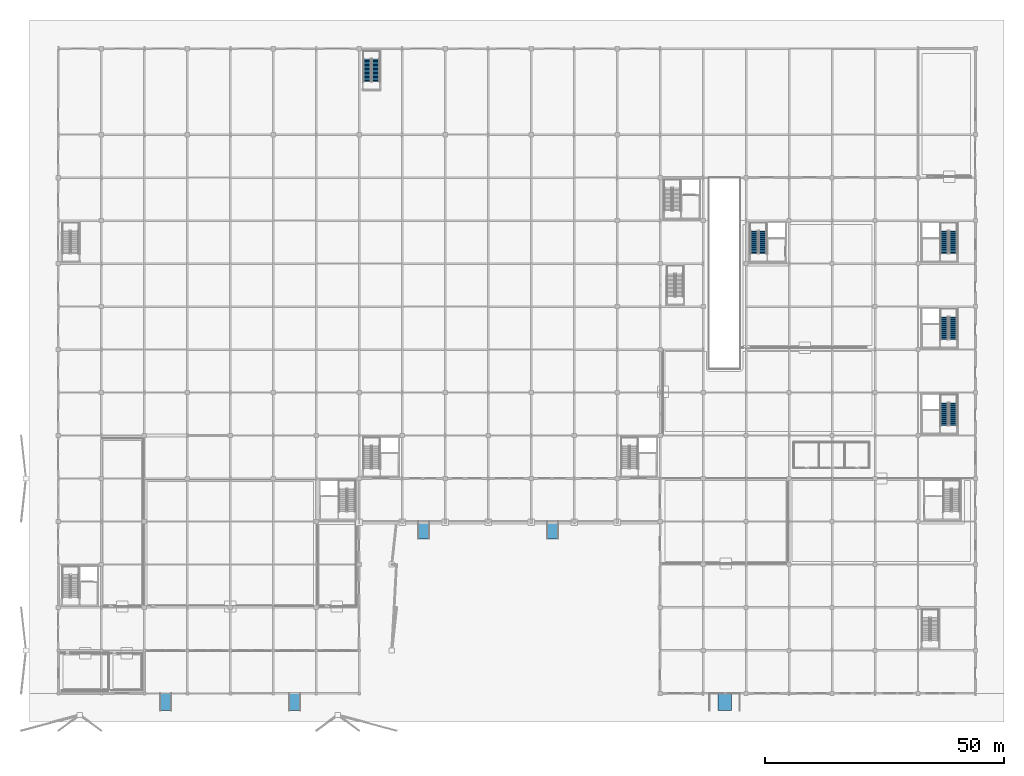
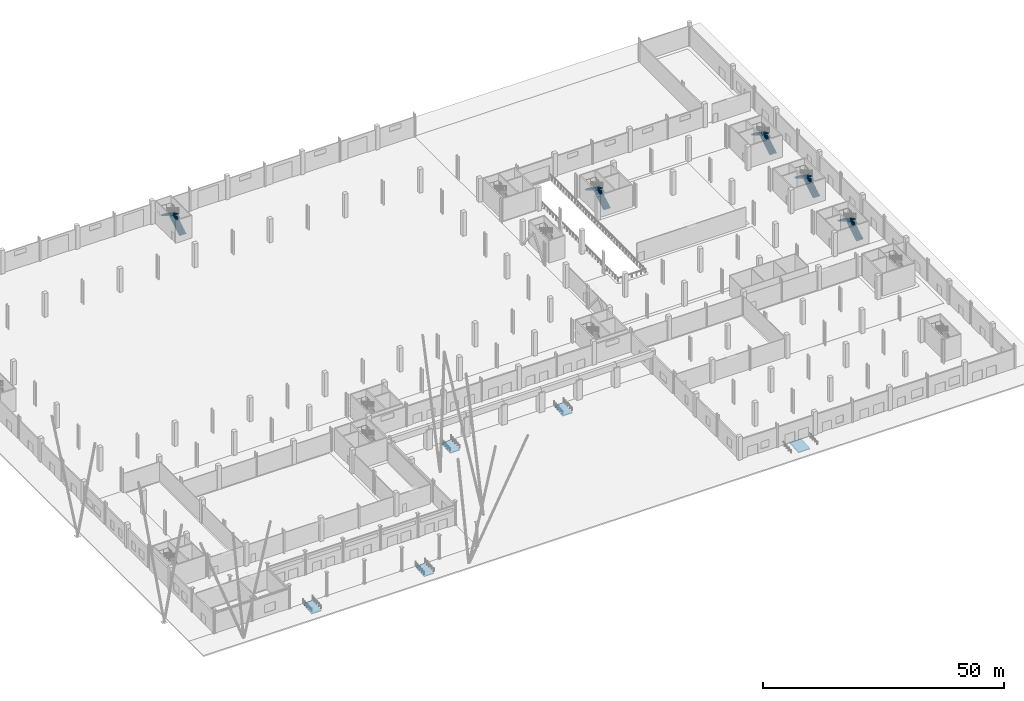
# One storey, part 41 of 58: 10 stair flights, 5 ramp flights, 10 elements without a shape of their own.
"""IFC4 building model written with IfcOpenShell, lengths in metres."""

import ifcopenshell
import ifcopenshell.guid

model = None  # the IFC model being written
_history = None  # IfcOwnerHistory: only IFC2X3 demands one
_inside = {}  # id of a spatial element -> (the spatial element, [elements in it])
_under = {}  # id of a project, library or spatial element -> (it, [spatial elements below it])
_declared = {}  # id of a project -> (the project, [libraries it declares])
_typed = {}  # id of a type object -> (the type object, [elements of that type])
_made_of = {}  # id of a material, layer set ... -> (it, [elements and type objects made of it])


def new_model(schema):
    """Start an empty IFC model of exactly this schema.

    Asked for "IFC4X3", IfcOpenShell would pick the latest addendum, in which some entities
    have other attributes; the version numbers below select the first issue.
    IFC2X3 requires an IfcOwnerHistory on every rooted entity: one is made here for all.
    """
    global model, _history
    if schema == "IFC4X3":
        model = ifcopenshell.file(schema_version=(4, 3, 0, 0))
    else:
        model = ifcopenshell.file(schema=schema)
    _inside.clear()
    _under.clear()
    _declared.clear()
    _typed.clear()
    _made_of.clear()
    _history = None
    if model.schema == "IFC2X3":
        org = make("IfcOrganization", Name="unknown")
        user = make(
            "IfcPersonAndOrganization",
            ThePerson=make("IfcPerson", FamilyName="unknown"),
            TheOrganization=org,
        )
        app = make(
            "IfcApplication",
            ApplicationDeveloper=org,
            Version="unknown",
            ApplicationFullName="unknown",
            ApplicationIdentifier="unknown",
        )
        _history = make(
            "IfcOwnerHistory",
            OwningUser=user,
            OwningApplication=app,
            ChangeAction="ADDED",
            CreationDate=0,
        )
    return model


def make(cls, **values):
    """One entity of the class cls with the attributes given. An attribute that is None is left unset."""
    return model.create_entity(
        cls, **{name: value for name, value in values.items() if value is not None}
    )


def rooted(cls, **values):
    """An entity with a GlobalId (a new one), such as an element, a storey or a relation."""
    return make(cls, GlobalId=ifcopenshell.guid.new(), OwnerHistory=_history, **values)


def si_unit(unit_type, name, prefix=None):
    """IfcSIUnit, for example si_unit("LENGTHUNIT", "METRE", prefix="MILLI")."""
    return make("IfcSIUnit", UnitType=unit_type, Prefix=prefix, Name=name)


def assignment(units):
    """IfcUnitAssignment: the units of a project."""
    return None if units is None else make("IfcUnitAssignment", Units=units)


def point(xyz):
    """IfcCartesianPoint."""
    return None if xyz is None else make("IfcCartesianPoint", Coordinates=xyz)


def direction(xyz):
    """IfcDirection."""
    return None if xyz is None else make("IfcDirection", DirectionRatios=xyz)


def frame(location, z_axis=None, x_axis=None):
    """IfcAxis2Placement3D, a coordinate frame: its origin and axes. An axis left out is left unset."""
    return make(
        "IfcAxis2Placement3D",
        Location=point(location),
        Axis=direction(z_axis),
        RefDirection=direction(x_axis),
    )


def origin():
    """The frame at (0, 0, 0) with its axes left unset."""
    return frame((0.0, 0.0, 0.0))


def place(relative_to, where):
    """IfcLocalPlacement: puts the frame where relative to a parent placement (None: the world)."""
    return make(
        "IfcLocalPlacement", PlacementRelTo=relative_to, RelativePlacement=where
    )


def context(
    kind, dimensions, precision=None, world=None, true_north=None, identifier=None
):
    """IfcGeometricRepresentationContext, for example the 3D "Model" context."""
    return make(
        "IfcGeometricRepresentationContext",
        ContextIdentifier=identifier,
        ContextType=kind,
        CoordinateSpaceDimension=dimensions,
        Precision=precision,
        WorldCoordinateSystem=world,
        TrueNorth=true_north,
    )


def subcontext(parent, identifier, kind, view, scale=None):
    """IfcGeometricRepresentationSubContext, for example "Body" below "Model"."""
    return make(
        "IfcGeometricRepresentationSubContext",
        ContextIdentifier=identifier,
        ContextType=kind,
        ParentContext=parent,
        TargetScale=scale,
        TargetView=view,
    )


def project(units=None, contexts=None):
    """IfcProject with its units and contexts."""
    return rooted(
        "IfcProject",
        Name="project",
        RepresentationContexts=contexts,
        UnitsInContext=assignment(units),
    )


def spatial(cls, under=None, at=None, **own):
    """A site, building, storey or space (cls), placed at a placement, below another one or the project."""
    s = rooted(cls, ObjectPlacement=at, **own)
    if under is not None:
        _under.setdefault(under.id(), (under, []))[1].append(s)
    return s


def polyline(points):
    """IfcPolyline through the points."""
    return make("IfcPolyline", Points=[point(p) for p in points])


def outline(outer, holes=None, kind="AREA"):
    """IfcArbitraryClosedProfileDef: a profile drawn as a closed curve; with holes, ...WithVoids."""
    if holes is None:
        return make("IfcArbitraryClosedProfileDef", ProfileType=kind, OuterCurve=outer)
    return make(
        "IfcArbitraryProfileDefWithVoids",
        ProfileType=kind,
        OuterCurve=outer,
        InnerCurves=holes,
    )


def extrude(swept, where, along, depth):
    """IfcExtrudedAreaSolid: the profile swept, set in the frame where, extruded along a direction by depth."""
    return make(
        "IfcExtrudedAreaSolid",
        SweptArea=swept,
        Position=where,
        ExtrudedDirection=direction(along),
        Depth=depth,
    )


def shape(context_of_items, identifier, shape_type, items):
    """IfcShapeRepresentation: the items that make up one representation, for example the "Body"."""
    return make(
        "IfcShapeRepresentation",
        ContextOfItems=context_of_items,
        RepresentationIdentifier=identifier,
        RepresentationType=shape_type,
        Items=items,
    )


def material(Name=None, Category=None):
    """IfcMaterial."""
    return make("IfcMaterial", Name=Name, Category=Category)


def layer(
    of_material, thickness, ventilated=None, Name=None, Category=None, Priority=None
):
    """IfcMaterialLayer: one layer of a wall or slab, of a material (None: an air gap)."""
    return make(
        "IfcMaterialLayer",
        Material=of_material,
        LayerThickness=thickness,
        IsVentilated=ventilated,
        Name=Name,
        Category=Category,
        Priority=Priority,
    )


def layer_set(layers, Name=None):
    """IfcMaterialLayerSet."""
    return make("IfcMaterialLayerSet", MaterialLayers=layers, LayerSetName=Name)


def made_of(thing, what):
    """Note that an element or type object is made of a material, layer set ...; save() writes the relation."""
    if what is not None:
        _made_of.setdefault(what.id(), (what, []))[1].append(thing)
    return thing


def type_object(cls, material=None, **own):
    """A type object (cls), such as IfcWallType, which elements share."""
    return made_of(rooted(cls, **own), material)


def element(
    cls,
    number,
    at=None,
    inside=None,
    cuts=None,
    type_object=None,
    material=None,
    context=None,
    identifier="Body",
    shape_type=None,
    held_by="IfcProductDefinitionShape",
    body=None,
    shapes=None,
    **own,
):
    """One element of the class cls, such as IfcWall. Its Tag is "e" and its number.

    at: its placement. inside: the storey or other place that contains it. cuts: it is an
    opening in that element (IfcRelVoidsElement). A single representation is given by context,
    identifier, shape_type and body (its items); several are given by shapes. held_by: the class
    of the entity that holds the representations. save() writes the other relations.
    """
    e = rooted(cls, Tag="e%d" % number, ObjectPlacement=at, **own)
    if body is not None:
        shapes = [shape(context, identifier, shape_type, body)]
    if shapes is not None:
        e.Representation = make(held_by, Representations=shapes)
    if inside is not None:
        _inside.setdefault(inside.id(), (inside, []))[1].append(e)
    if cuts is not None:
        rooted(
            "IfcRelVoidsElement", RelatingBuildingElement=cuts, RelatedOpeningElement=e
        )
    if type_object is not None:
        _typed.setdefault(type_object.id(), (type_object, []))[1].append(e)
    return made_of(e, material)


def aggregate(whole, parts):
    """IfcRelAggregates: a whole, such as a stair, and the parts it consists of."""
    return rooted("IfcRelAggregates", RelatingObject=whole, RelatedObjects=parts)


def save(model, path):
    """Write the relations noted so far, then the file.

    IfcRelAggregates (storeys below a building ...), IfcRelContainedInSpatialStructure (elements
    in a storey), IfcRelDefinesByType, IfcRelAssociatesMaterial and IfcRelDeclares: one each for
    every whole, place, type object, material and project.
    """
    for whole, parts in _under.values():
        aggregate(whole, parts)
    for where, things in _inside.values():
        rooted(
            "IfcRelContainedInSpatialStructure",
            RelatedElements=things,
            RelatingStructure=where,
        )
    for kind, things in _typed.values():
        rooted("IfcRelDefinesByType", RelatedObjects=things, RelatingType=kind)
    for what, things in _made_of.values():
        rooted("IfcRelAssociatesMaterial", RelatedObjects=things, RelatingMaterial=what)
    for by, libraries in _declared.values():
        rooted("IfcRelDeclares", RelatingContext=by, RelatedDefinitions=libraries)
    model.write(path)


model = new_model("IFC4")

# Units and contexts
model_context = context("Model", 3, precision=1e-05, world=origin(), true_north=direction((0.0, 1.0)))
body_context = subcontext(model_context, "Body", "Model", "MODEL_VIEW")
ifc_project = project(units=[si_unit("LENGTHUNIT", "METRE"), si_unit("AREAUNIT", "SQUARE_METRE"), si_unit("VOLUMEUNIT", "CUBIC_METRE"), si_unit("PLANEANGLEUNIT", "RADIAN"), si_unit("MASSUNIT", "GRAM", prefix="KILO")], contexts=[model_context])

# Site, building, storey
site_placement = place(None, origin())
site = spatial("IfcSite", under=ifc_project, at=site_placement, CompositionType="ELEMENT")
building_placement = place(site_placement, origin())
building = spatial("IfcBuilding", under=site, at=building_placement, Name="Barlavento Convention Centre", CompositionType="ELEMENT")
storey_placement = place(building_placement, origin())
storey = spatial("IfcBuildingStorey", under=building, at=storey_placement, Name="L00", CompositionType="ELEMENT", Elevation=0.0)

# Stair, stair flights
ifc_material = material(Name="Concrete C40/50", Category="concrete")
stair_type = type_object("IfcStairType", Name="ARC-STR-DOG-1620", PredefinedType="HALF_TURN_STAIR", material=ifc_material)
stair_1_placement = place(storey_placement, origin())
stair_1 = element("IfcStair", 1, at=stair_1_placement, inside=storey, type_object=stair_type, Name="L00 ST05", PredefinedType="HALF_TURN_STAIR")
stair_flight_type = type_object("IfcStairFlightType", Name="ARC-FLT-STR-1620", PredefinedType="STRAIGHT", material=ifc_material)
stair_flight_1_placement = place(storey_placement, frame((187.340087890625, 56.090087890625, 0.0), z_axis=(0.0, 0.0, 1.0), x_axis=(0.0, 1.0, 0.0)))
stair_flight_1 = element("IfcStairFlight", 2, at=stair_flight_1_placement, type_object=stair_flight_type, Name="ST05 flight 1", NumberOfRisers=18, NumberOfTreads=17, PredefinedType="STRAIGHT", RiserHeight=0.166666667, TreadLength=0.28, context=body_context, shape_type="SweptSolid", body=[
    extrude(outline(polyline([(0.0, 0.0), (0.0, 0.166748046875), (0.280029296875, 0.166748046875), (0.280029296875, 0.333251953125), (0.56005859375, 0.333251953125), (0.56005859375, 0.5), (0.840087890625, 0.5), (0.840087890625, 0.666748046875), (1.1201171875, 0.666748046875), (1.1201171875, 0.833251953125), (1.39990234375, 0.833251953125), (1.39990234375, 1.0), (1.679931640625, 1.0), (1.679931640625, 1.166748046875), (1.9599609375, 1.166748046875), (1.9599609375, 1.333251953125), (2.239990234375, 1.333251953125), (2.239990234375, 1.5), (2.52001953125, 1.5), (2.52001953125, 1.666748046875), (2.800048828125, 1.666748046875), (2.800048828125, 1.833251953125), (3.080078125, 1.833251953125), (3.080078125, 2.0), (3.360107421875, 2.0), (3.360107421875, 2.166748046875), (3.639892578125, 2.166748046875), (3.639892578125, 2.333251953125), (3.919921875, 2.333251953125), (3.919921875, 2.5), (4.199951171875, 2.5), (4.199951171875, 2.666748046875), (4.47998046875, 2.666748046875), (4.47998046875, 2.833251953125), (4.760009765625, 2.833251953125), (4.760009765625, 3.0), (4.760009765625, 2.658935546875), (0.29296875, 0.0), (0.0, 0.0)])), frame((0.0, 0.81005859375, 0.0), z_axis=(0.0, -1.0, 0.0), x_axis=(1.0, 0.0, 0.0)), (0.0, 0.0, 1.0), 1.6201171875),
])
stair_flight_2_placement = place(storey_placement, frame((185.52001953125, 60.85009765625, 3.0), z_axis=(0.0, 0.0, 1.0), x_axis=(0.0, -1.0, 0.0)))
stair_flight_2 = element("IfcStairFlight", 3, at=stair_flight_2_placement, type_object=stair_flight_type, Name="ST05 flight 2", NumberOfRisers=18, NumberOfTreads=17, PredefinedType="STRAIGHT", RiserHeight=0.166666667, TreadLength=0.28, context=body_context, shape_type="SweptSolid", body=[
    extrude(outline(polyline([(0.0, 0.0), (0.0, 0.166748046875), (0.280029296875, 0.166748046875), (0.280029296875, 0.333251953125), (0.56005859375, 0.333251953125), (0.56005859375, 0.5), (0.840087890625, 0.5), (0.840087890625, 0.666748046875), (1.1201171875, 0.666748046875), (1.1201171875, 0.833251953125), (1.39990234375, 0.833251953125), (1.39990234375, 1.0), (1.679931640625, 1.0), (1.679931640625, 1.166748046875), (1.9599609375, 1.166748046875), (1.9599609375, 1.333251953125), (2.239990234375, 1.333251953125), (2.239990234375, 1.5), (2.52001953125, 1.5), (2.52001953125, 1.666748046875), (2.800048828125, 1.666748046875), (2.800048828125, 1.833251953125), (3.080078125, 1.833251953125), (3.080078125, 2.0), (3.360107421875, 2.0), (3.360107421875, 2.166748046875), (3.639892578125, 2.166748046875), (3.639892578125, 2.333251953125), (3.919921875, 2.333251953125), (3.919921875, 2.5), (4.199951171875, 2.5), (4.199951171875, 2.666748046875), (4.47998046875, 2.666748046875), (4.47998046875, 2.833251953125), (4.760009765625, 2.833251953125), (4.760009765625, 3.0), (4.760009765625, 2.658935546875), (0.29296875, 0.0), (0.0, 0.0)])), frame((0.0, 0.81005859375, 0.0), z_axis=(0.0, -1.0, 0.0), x_axis=(1.0, 0.0, 0.0)), (0.0, 0.0, 1.0), 1.6201171875),
])
aggregate(stair_1, [stair_flight_1, stair_flight_2])

stair_2_placement = place(storey_placement, origin())
stair_2 = element("IfcStair", 4, at=stair_2_placement, inside=storey, type_object=stair_type, Name="L00 ST07", PredefinedType="HALF_TURN_STAIR")
stair_flight_3_placement = place(storey_placement, frame((187.340087890625, 74.090087890625, 0.0), z_axis=(0.0, 0.0, 1.0), x_axis=(0.0, 1.0, 0.0)))
stair_flight_3 = element("IfcStairFlight", 5, at=stair_flight_3_placement, type_object=stair_flight_type, Name="ST07 flight 1", NumberOfRisers=18, NumberOfTreads=17, PredefinedType="STRAIGHT", RiserHeight=0.166666667, TreadLength=0.28, context=body_context, shape_type="SweptSolid", body=[
    extrude(outline(polyline([(0.0, 0.0), (0.0, 0.166748046875), (0.280029296875, 0.166748046875), (0.280029296875, 0.333251953125), (0.56005859375, 0.333251953125), (0.56005859375, 0.5), (0.840087890625, 0.5), (0.840087890625, 0.666748046875), (1.1201171875, 0.666748046875), (1.1201171875, 0.833251953125), (1.39990234375, 0.833251953125), (1.39990234375, 1.0), (1.679931640625, 1.0), (1.679931640625, 1.166748046875), (1.9599609375, 1.166748046875), (1.9599609375, 1.333251953125), (2.239990234375, 1.333251953125), (2.239990234375, 1.5), (2.52001953125, 1.5), (2.52001953125, 1.666748046875), (2.800048828125, 1.666748046875), (2.800048828125, 1.833251953125), (3.080078125, 1.833251953125), (3.080078125, 2.0), (3.360107421875, 2.0), (3.360107421875, 2.166748046875), (3.639892578125, 2.166748046875), (3.639892578125, 2.333251953125), (3.919921875, 2.333251953125), (3.919921875, 2.5), (4.199951171875, 2.5), (4.199951171875, 2.666748046875), (4.47998046875, 2.666748046875), (4.47998046875, 2.833251953125), (4.760009765625, 2.833251953125), (4.760009765625, 3.0), (4.760009765625, 2.658935546875), (0.29296875, 0.0), (0.0, 0.0)])), frame((0.0, 0.81005859375, 0.0), z_axis=(0.0, -1.0, 0.0), x_axis=(1.0, 0.0, 0.0)), (0.0, 0.0, 1.0), 1.6201171875),
])
stair_flight_4_placement = place(storey_placement, frame((185.52001953125, 78.85009765625, 3.0), z_axis=(0.0, 0.0, 1.0), x_axis=(0.0, -1.0, 0.0)))
stair_flight_4 = element("IfcStairFlight", 6, at=stair_flight_4_placement, type_object=stair_flight_type, Name="ST07 flight 2", NumberOfRisers=18, NumberOfTreads=17, PredefinedType="STRAIGHT", RiserHeight=0.166666667, TreadLength=0.28, context=body_context, shape_type="SweptSolid", body=[
    extrude(outline(polyline([(0.0, 0.0), (0.0, 0.166748046875), (0.280029296875, 0.166748046875), (0.280029296875, 0.333251953125), (0.56005859375, 0.333251953125), (0.56005859375, 0.5), (0.840087890625, 0.5), (0.840087890625, 0.666748046875), (1.1201171875, 0.666748046875), (1.1201171875, 0.833251953125), (1.39990234375, 0.833251953125), (1.39990234375, 1.0), (1.679931640625, 1.0), (1.679931640625, 1.166748046875), (1.9599609375, 1.166748046875), (1.9599609375, 1.333251953125), (2.239990234375, 1.333251953125), (2.239990234375, 1.5), (2.52001953125, 1.5), (2.52001953125, 1.666748046875), (2.800048828125, 1.666748046875), (2.800048828125, 1.833251953125), (3.080078125, 1.833251953125), (3.080078125, 2.0), (3.360107421875, 2.0), (3.360107421875, 2.166748046875), (3.639892578125, 2.166748046875), (3.639892578125, 2.333251953125), (3.919921875, 2.333251953125), (3.919921875, 2.5), (4.199951171875, 2.5), (4.199951171875, 2.666748046875), (4.47998046875, 2.666748046875), (4.47998046875, 2.833251953125), (4.760009765625, 2.833251953125), (4.760009765625, 3.0), (4.760009765625, 2.658935546875), (0.29296875, 0.0), (0.0, 0.0)])), frame((0.0, 0.81005859375, 0.0), z_axis=(0.0, -1.0, 0.0), x_axis=(1.0, 0.0, 0.0)), (0.0, 0.0, 1.0), 1.6201171875),
])
aggregate(stair_2, [stair_flight_3, stair_flight_4])

stair_3_placement = place(storey_placement, origin())
stair_3 = element("IfcStair", 7, at=stair_3_placement, inside=storey, type_object=stair_type, Name="L00 ST08", PredefinedType="HALF_TURN_STAIR")
stair_flight_5_placement = place(storey_placement, frame((187.340087890625, 92.090087890625, 0.0), z_axis=(0.0, 0.0, 1.0), x_axis=(0.0, 1.0, 0.0)))
stair_flight_5 = element("IfcStairFlight", 8, at=stair_flight_5_placement, type_object=stair_flight_type, Name="ST08 flight 1", NumberOfRisers=18, NumberOfTreads=17, PredefinedType="STRAIGHT", RiserHeight=0.166666667, TreadLength=0.28, context=body_context, shape_type="SweptSolid", body=[
    extrude(outline(polyline([(0.0, 0.0), (0.0, 0.166748046875), (0.280029296875, 0.166748046875), (0.280029296875, 0.333251953125), (0.56005859375, 0.333251953125), (0.56005859375, 0.5), (0.840087890625, 0.5), (0.840087890625, 0.666748046875), (1.1201171875, 0.666748046875), (1.1201171875, 0.833251953125), (1.39990234375, 0.833251953125), (1.39990234375, 1.0), (1.679931640625, 1.0), (1.679931640625, 1.166748046875), (1.9599609375, 1.166748046875), (1.9599609375, 1.333251953125), (2.239990234375, 1.333251953125), (2.239990234375, 1.5), (2.52001953125, 1.5), (2.52001953125, 1.666748046875), (2.800048828125, 1.666748046875), (2.800048828125, 1.833251953125), (3.080078125, 1.833251953125), (3.080078125, 2.0), (3.360107421875, 2.0), (3.360107421875, 2.166748046875), (3.639892578125, 2.166748046875), (3.639892578125, 2.333251953125), (3.919921875, 2.333251953125), (3.919921875, 2.5), (4.199951171875, 2.5), (4.199951171875, 2.666748046875), (4.47998046875, 2.666748046875), (4.47998046875, 2.833251953125), (4.760009765625, 2.833251953125), (4.760009765625, 3.0), (4.760009765625, 2.658935546875), (0.29296875, 0.0), (0.0, 0.0)])), frame((0.0, 0.81005859375, 0.0), z_axis=(0.0, -1.0, 0.0), x_axis=(1.0, 0.0, 0.0)), (0.0, 0.0, 1.0), 1.6201171875),
])
stair_flight_6_placement = place(storey_placement, frame((185.52001953125, 96.85009765625, 3.0), z_axis=(0.0, 0.0, 1.0), x_axis=(0.0, -1.0, 0.0)))
stair_flight_6 = element("IfcStairFlight", 9, at=stair_flight_6_placement, type_object=stair_flight_type, Name="ST08 flight 2", NumberOfRisers=18, NumberOfTreads=17, PredefinedType="STRAIGHT", RiserHeight=0.166666667, TreadLength=0.28, context=body_context, shape_type="SweptSolid", body=[
    extrude(outline(polyline([(0.0, 0.0), (0.0, 0.166748046875), (0.280029296875, 0.166748046875), (0.280029296875, 0.333251953125), (0.56005859375, 0.333251953125), (0.56005859375, 0.5), (0.840087890625, 0.5), (0.840087890625, 0.666748046875), (1.1201171875, 0.666748046875), (1.1201171875, 0.833251953125), (1.39990234375, 0.833251953125), (1.39990234375, 1.0), (1.679931640625, 1.0), (1.679931640625, 1.166748046875), (1.9599609375, 1.166748046875), (1.9599609375, 1.333251953125), (2.239990234375, 1.333251953125), (2.239990234375, 1.5), (2.52001953125, 1.5), (2.52001953125, 1.666748046875), (2.800048828125, 1.666748046875), (2.800048828125, 1.833251953125), (3.080078125, 1.833251953125), (3.080078125, 2.0), (3.360107421875, 2.0), (3.360107421875, 2.166748046875), (3.639892578125, 2.166748046875), (3.639892578125, 2.333251953125), (3.919921875, 2.333251953125), (3.919921875, 2.5), (4.199951171875, 2.5), (4.199951171875, 2.666748046875), (4.47998046875, 2.666748046875), (4.47998046875, 2.833251953125), (4.760009765625, 2.833251953125), (4.760009765625, 3.0), (4.760009765625, 2.658935546875), (0.29296875, 0.0), (0.0, 0.0)])), frame((0.0, 0.81005859375, 0.0), z_axis=(0.0, -1.0, 0.0), x_axis=(1.0, 0.0, 0.0)), (0.0, 0.0, 1.0), 1.6201171875),
])
aggregate(stair_3, [stair_flight_5, stair_flight_6])

stair_4_placement = place(storey_placement, origin())
stair_4 = element("IfcStair", 10, at=stair_4_placement, inside=storey, type_object=stair_type, Name="L00 ST09", PredefinedType="HALF_TURN_STAIR")
stair_flight_7_placement = place(storey_placement, frame((147.47998046875, 92.090087890625, 0.0), z_axis=(0.0, 0.0, 1.0), x_axis=(0.0, 1.0, 0.0)))
stair_flight_7 = element("IfcStairFlight", 11, at=stair_flight_7_placement, type_object=stair_flight_type, Name="ST09 flight 1", NumberOfRisers=18, NumberOfTreads=17, PredefinedType="STRAIGHT", RiserHeight=0.166666667, TreadLength=0.28, context=body_context, shape_type="SweptSolid", body=[
    extrude(outline(polyline([(0.0, 0.0), (0.0, 0.166748046875), (0.280029296875, 0.166748046875), (0.280029296875, 0.333251953125), (0.56005859375, 0.333251953125), (0.56005859375, 0.5), (0.840087890625, 0.5), (0.840087890625, 0.666748046875), (1.1201171875, 0.666748046875), (1.1201171875, 0.833251953125), (1.39990234375, 0.833251953125), (1.39990234375, 1.0), (1.679931640625, 1.0), (1.679931640625, 1.166748046875), (1.9599609375, 1.166748046875), (1.9599609375, 1.333251953125), (2.239990234375, 1.333251953125), (2.239990234375, 1.5), (2.52001953125, 1.5), (2.52001953125, 1.666748046875), (2.800048828125, 1.666748046875), (2.800048828125, 1.833251953125), (3.080078125, 1.833251953125), (3.080078125, 2.0), (3.360107421875, 2.0), (3.360107421875, 2.166748046875), (3.639892578125, 2.166748046875), (3.639892578125, 2.333251953125), (3.919921875, 2.333251953125), (3.919921875, 2.5), (4.199951171875, 2.5), (4.199951171875, 2.666748046875), (4.47998046875, 2.666748046875), (4.47998046875, 2.833251953125), (4.760009765625, 2.833251953125), (4.760009765625, 3.0), (4.760009765625, 2.658935546875), (0.29296875, 0.0), (0.0, 0.0)])), frame((0.0, 0.81005859375, 0.0), z_axis=(0.0, -1.0, 0.0), x_axis=(1.0, 0.0, 0.0)), (0.0, 0.0, 1.0), 1.6201171875),
])
stair_flight_8_placement = place(storey_placement, frame((145.659912109375, 96.85009765625, 3.0), z_axis=(0.0, 0.0, 1.0), x_axis=(0.0, -1.0, 0.0)))
stair_flight_8 = element("IfcStairFlight", 12, at=stair_flight_8_placement, type_object=stair_flight_type, Name="ST09 flight 2", NumberOfRisers=18, NumberOfTreads=17, PredefinedType="STRAIGHT", RiserHeight=0.166666667, TreadLength=0.28, context=body_context, shape_type="SweptSolid", body=[
    extrude(outline(polyline([(0.0, 0.0), (0.0, 0.166748046875), (0.280029296875, 0.166748046875), (0.280029296875, 0.333251953125), (0.56005859375, 0.333251953125), (0.56005859375, 0.5), (0.840087890625, 0.5), (0.840087890625, 0.666748046875), (1.1201171875, 0.666748046875), (1.1201171875, 0.833251953125), (1.39990234375, 0.833251953125), (1.39990234375, 1.0), (1.679931640625, 1.0), (1.679931640625, 1.166748046875), (1.9599609375, 1.166748046875), (1.9599609375, 1.333251953125), (2.239990234375, 1.333251953125), (2.239990234375, 1.5), (2.52001953125, 1.5), (2.52001953125, 1.666748046875), (2.800048828125, 1.666748046875), (2.800048828125, 1.833251953125), (3.080078125, 1.833251953125), (3.080078125, 2.0), (3.360107421875, 2.0), (3.360107421875, 2.166748046875), (3.639892578125, 2.166748046875), (3.639892578125, 2.333251953125), (3.919921875, 2.333251953125), (3.919921875, 2.5), (4.199951171875, 2.5), (4.199951171875, 2.666748046875), (4.47998046875, 2.666748046875), (4.47998046875, 2.833251953125), (4.760009765625, 2.833251953125), (4.760009765625, 3.0), (4.760009765625, 2.658935546875), (0.29296875, 0.0), (0.0, 0.0)])), frame((0.0, 0.81005859375, 0.0), z_axis=(0.0, -1.0, 0.0), x_axis=(1.0, 0.0, 0.0)), (0.0, 0.0, 1.0), 1.6201171875),
])
aggregate(stair_4, [stair_flight_7, stair_flight_8])

stair_5_placement = place(storey_placement, origin())
stair_5 = element("IfcStair", 13, at=stair_5_placement, inside=storey, type_object=stair_type, Name="L00 ST13", PredefinedType="HALF_TURN_STAIR")
stair_flight_9_placement = place(storey_placement, frame((66.47998046875, 128.090087890625, 0.0), z_axis=(0.0, 0.0, 1.0), x_axis=(0.0, 1.0, 0.0)))
stair_flight_9 = element("IfcStairFlight", 14, at=stair_flight_9_placement, type_object=stair_flight_type, Name="ST13 flight 1", NumberOfRisers=18, NumberOfTreads=17, PredefinedType="STRAIGHT", RiserHeight=0.166666667, TreadLength=0.28, context=body_context, shape_type="SweptSolid", body=[
    extrude(outline(polyline([(0.0, 0.0), (0.0, 0.166748046875), (0.280029296875, 0.166748046875), (0.280029296875, 0.333251953125), (0.56005859375, 0.333251953125), (0.56005859375, 0.5), (0.840087890625, 0.5), (0.840087890625, 0.666748046875), (1.1201171875, 0.666748046875), (1.1201171875, 0.833251953125), (1.39990234375, 0.833251953125), (1.39990234375, 1.0), (1.679931640625, 1.0), (1.679931640625, 1.166748046875), (1.9599609375, 1.166748046875), (1.9599609375, 1.333251953125), (2.239990234375, 1.333251953125), (2.239990234375, 1.5), (2.52001953125, 1.5), (2.52001953125, 1.666748046875), (2.800048828125, 1.666748046875), (2.800048828125, 1.833251953125), (3.080078125, 1.833251953125), (3.080078125, 2.0), (3.360107421875, 2.0), (3.360107421875, 2.166748046875), (3.639892578125, 2.166748046875), (3.639892578125, 2.333251953125), (3.919921875, 2.333251953125), (3.919921875, 2.5), (4.199951171875, 2.5), (4.199951171875, 2.666748046875), (4.47998046875, 2.666748046875), (4.47998046875, 2.833251953125), (4.760009765625, 2.833251953125), (4.760009765625, 3.0), (4.760009765625, 2.658935546875), (0.29296875, 0.0), (0.0, 0.0)])), frame((0.0, 0.81005859375, 0.0), z_axis=(0.0, -1.0, 0.0), x_axis=(1.0, 0.0, 0.0)), (0.0, 0.0, 1.0), 1.6201171875),
])
stair_flight_10_placement = place(storey_placement, frame((64.659912109375, 132.85009765625, 3.0), z_axis=(0.0, 0.0, 1.0), x_axis=(0.0, -1.0, 0.0)))
stair_flight_10 = element("IfcStairFlight", 15, at=stair_flight_10_placement, type_object=stair_flight_type, Name="ST13 flight 2", NumberOfRisers=18, NumberOfTreads=17, PredefinedType="STRAIGHT", RiserHeight=0.166666667, TreadLength=0.28, context=body_context, shape_type="SweptSolid", body=[
    extrude(outline(polyline([(0.0, 0.0), (0.0, 0.166748046875), (0.280029296875, 0.166748046875), (0.280029296875, 0.333251953125), (0.56005859375, 0.333251953125), (0.56005859375, 0.5), (0.840087890625, 0.5), (0.840087890625, 0.666748046875), (1.1201171875, 0.666748046875), (1.1201171875, 0.833251953125), (1.39990234375, 0.833251953125), (1.39990234375, 1.0), (1.679931640625, 1.0), (1.679931640625, 1.166748046875), (1.9599609375, 1.166748046875), (1.9599609375, 1.333251953125), (2.239990234375, 1.333251953125), (2.239990234375, 1.5), (2.52001953125, 1.5), (2.52001953125, 1.666748046875), (2.800048828125, 1.666748046875), (2.800048828125, 1.833251953125), (3.080078125, 1.833251953125), (3.080078125, 2.0), (3.360107421875, 2.0), (3.360107421875, 2.166748046875), (3.639892578125, 2.166748046875), (3.639892578125, 2.333251953125), (3.919921875, 2.333251953125), (3.919921875, 2.5), (4.199951171875, 2.5), (4.199951171875, 2.666748046875), (4.47998046875, 2.666748046875), (4.47998046875, 2.833251953125), (4.760009765625, 2.833251953125), (4.760009765625, 3.0), (4.760009765625, 2.658935546875), (0.29296875, 0.0), (0.0, 0.0)])), frame((0.0, 0.81005859375, 0.0), z_axis=(0.0, -1.0, 0.0), x_axis=(1.0, 0.0, 0.0)), (0.0, 0.0, 1.0), 1.6201171875),
])
aggregate(stair_5, [stair_flight_9, stair_flight_10])

# Ramp, ramp flight
ramp_type_1 = type_object("IfcRampType", Name="STR-RMP-PED", PredefinedType="STRAIGHT_RUN_RAMP", material=ifc_material)
ramp_1_placement = place(storey_placement, origin())
ramp_1 = element("IfcRamp", 16, at=ramp_1_placement, inside=storey, type_object=ramp_type_1, Name="Accessible pedestrian entrance ramp AR-01", PredefinedType="STRAIGHT_RUN_RAMP")
ifc_layer_1 = layer(ifc_material, 0.239990234375)
ifc_layer_set_1 = layer_set([ifc_layer_1], Name="STR-RMPFLT-PED-220")
ramp_flight_type_1 = type_object("IfcRampFlightType", Name="STR-RMPFLT-PED-220", PredefinedType="STRAIGHT", material=ifc_layer_set_1)
ramp_flight_1_placement = place(storey_placement, frame((22.5, -3.6201171875, -0.300048828125), z_axis=(0.0, 0.0, 1.0), x_axis=(0.0, 1.0, 0.0)))
ramp_flight_1 = element("IfcRampFlight", 17, at=ramp_flight_1_placement, type_object=ramp_flight_type_1, Name="Accessible pedestrian ramp flight AR-01", PredefinedType="STRAIGHT", context=body_context, shape_type="SweptSolid", body=[
    extrude(outline(polyline([(0.0, -0.239990234375), (3.639892578125, 0.06005859375), (3.639892578125, 0.300048828125), (0.0, 0.0), (0.0, -0.239990234375)])), frame((0.0, 1.199951171875, 0.0), z_axis=(0.0, -1.0, 0.0), x_axis=(1.0, 0.0, 0.0)), (0.0, 0.0, 1.0), 2.39990234375),
])
aggregate(ramp_1, [ramp_flight_1])

ramp_2_placement = place(storey_placement, origin())
ramp_2 = element("IfcRamp", 18, at=ramp_2_placement, inside=storey, type_object=ramp_type_1, Name="Accessible pedestrian entrance ramp AR-01", PredefinedType="STRAIGHT_RUN_RAMP")
ramp_flight_2_placement = place(storey_placement, frame((49.5, -3.6201171875, -0.300048828125), z_axis=(0.0, 0.0, 1.0), x_axis=(0.0, 1.0, 0.0)))
ramp_flight_2 = element("IfcRampFlight", 19, at=ramp_flight_2_placement, type_object=ramp_flight_type_1, Name="Accessible pedestrian ramp flight AR-01", PredefinedType="STRAIGHT", context=body_context, shape_type="SweptSolid", body=[
    extrude(outline(polyline([(0.0, -0.239990234375), (3.639892578125, 0.06005859375), (3.639892578125, 0.300048828125), (0.0, 0.0), (0.0, -0.239990234375)])), frame((0.0, 1.199951171875, 0.0), z_axis=(0.0, -1.0, 0.0), x_axis=(1.0, 0.0, 0.0)), (0.0, 0.0, 1.0), 2.39990234375),
])
aggregate(ramp_2, [ramp_flight_2])

ramp_3_placement = place(storey_placement, origin())
ramp_3 = element("IfcRamp", 20, at=ramp_3_placement, inside=storey, type_object=ramp_type_1, Name="Accessible pedestrian entrance ramp AR-01", PredefinedType="STRAIGHT_RUN_RAMP")
ramp_flight_3_placement = place(storey_placement, frame((76.5, 32.3798828125, -0.300048828125), z_axis=(0.0, 0.0, 1.0), x_axis=(0.0, 1.0, 0.0)))
ramp_flight_3 = element("IfcRampFlight", 21, at=ramp_flight_3_placement, type_object=ramp_flight_type_1, Name="Accessible pedestrian ramp flight AR-01", PredefinedType="STRAIGHT", context=body_context, shape_type="SweptSolid", body=[
    extrude(outline(polyline([(0.0, -0.239990234375), (3.639892578125, 0.06005859375), (3.639892578125, 0.300048828125), (0.0, 0.0), (0.0, -0.239990234375)])), frame((0.0, 1.199951171875, 0.0), z_axis=(0.0, -1.0, 0.0), x_axis=(1.0, 0.0, 0.0)), (0.0, 0.0, 1.0), 2.39990234375),
])
aggregate(ramp_3, [ramp_flight_3])

ramp_4_placement = place(storey_placement, origin())
ramp_4 = element("IfcRamp", 22, at=ramp_4_placement, inside=storey, type_object=ramp_type_1, Name="Accessible pedestrian entrance ramp AR-01", PredefinedType="STRAIGHT_RUN_RAMP")
ramp_flight_4_placement = place(storey_placement, frame((103.5, 32.3798828125, -0.300048828125), z_axis=(0.0, 0.0, 1.0), x_axis=(0.0, 1.0, 0.0)))
ramp_flight_4 = element("IfcRampFlight", 23, at=ramp_flight_4_placement, type_object=ramp_flight_type_1, Name="Accessible pedestrian ramp flight AR-01", PredefinedType="STRAIGHT", context=body_context, shape_type="SweptSolid", body=[
    extrude(outline(polyline([(0.0, -0.239990234375), (3.639892578125, 0.06005859375), (3.639892578125, 0.300048828125), (0.0, 0.0), (0.0, -0.239990234375)])), frame((0.0, 1.199951171875, 0.0), z_axis=(0.0, -1.0, 0.0), x_axis=(1.0, 0.0, 0.0)), (0.0, 0.0, 1.0), 2.39990234375),
])
aggregate(ramp_4, [ramp_flight_4])

ramp_type_2 = type_object("IfcRampType", Name="STR-RMP-PED-WIDE", PredefinedType="STRAIGHT_RUN_RAMP", material=ifc_material)
ramp_5_placement = place(storey_placement, origin())
ramp_5 = element("IfcRamp", 24, at=ramp_5_placement, inside=storey, type_object=ramp_type_2, Name="Accessible pedestrian entrance ramp AR-05", PredefinedType="STRAIGHT_RUN_RAMP")
ifc_layer_2 = layer(ifc_material, 0.239990234375)
ifc_layer_set_2 = layer_set([ifc_layer_2], Name="STR-RMPFLT-PED-640")
ramp_flight_type_2 = type_object("IfcRampFlightType", Name="STR-RMPFLT-PED-640", PredefinedType="STRAIGHT", material=ifc_layer_set_2)
ramp_flight_5_placement = place(storey_placement, frame((139.5, -3.6201171875, -0.300048828125), z_axis=(0.0, 0.0, 1.0), x_axis=(0.0, 1.0, 0.0)))
ramp_flight_5 = element("IfcRampFlight", 25, at=ramp_flight_5_placement, type_object=ramp_flight_type_2, Name="Accessible pedestrian ramp flight AR-05", PredefinedType="STRAIGHT", context=body_context, shape_type="SweptSolid", body=[
    extrude(outline(polyline([(0.0, -0.239990234375), (3.639892578125, 0.06005859375), (3.639892578125, 0.300048828125), (0.0, 0.0), (0.0, -0.239990234375)])), frame((0.0, 1.39990234375, 0.0), z_axis=(0.0, -1.0, 0.0), x_axis=(1.0, 0.0, 0.0)), (0.0, 0.0, 1.0), 2.800048828125),
])
aggregate(ramp_5, [ramp_flight_5])

save(model, "model.ifc")
